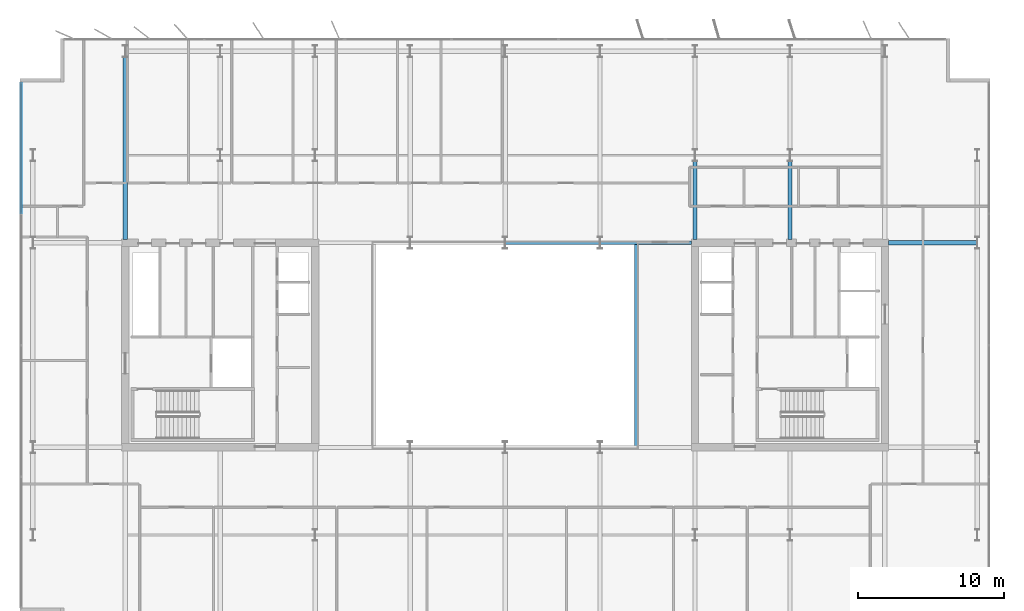
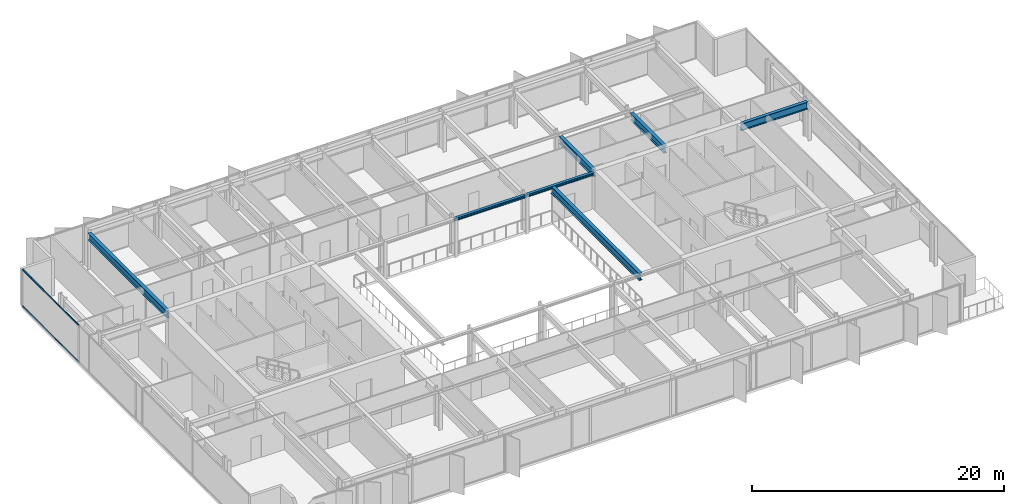
# One storey, part 9 of 24: 7 beams, 2 members, 1 element without a shape of its own.
"""IFC4 building model written with IfcOpenShell, lengths in metres."""

from ifc_helpers import new_model, si_unit, direction, frame, origin, origin_2d, place, context, subcontext, project, spatial, rectangle, i_section, extrude, material, layer, layer_set, material_profile, profile_set, type_object, element, aggregate, save


model = new_model("IFC4")

# Units and contexts
model_context = context("Model", 3, precision=1e-05, world=origin(), true_north=direction((0.0, 1.0)))
body_context = subcontext(model_context, "Body", "Model", "MODEL_VIEW")
ifc_project = project(units=[si_unit("LENGTHUNIT", "METRE"), si_unit("AREAUNIT", "SQUARE_METRE"), si_unit("VOLUMEUNIT", "CUBIC_METRE"), si_unit("PLANEANGLEUNIT", "RADIAN"), si_unit("MASSUNIT", "GRAM", prefix="KILO")], contexts=[model_context])

# Site, building, storey
site_placement = place(None, origin())
site = spatial("IfcSite", under=ifc_project, at=site_placement, CompositionType="ELEMENT")
building_placement = place(site_placement, origin())
building = spatial("IfcBuilding", under=site, at=building_placement, Name="Putna Gate Headquarters", CompositionType="ELEMENT")
storey_placement = place(building_placement, frame((0.0, 0.0, 248.0)))
storey = spatial("IfcBuildingStorey", under=building, at=storey_placement, Name="L62", CompositionType="ELEMENT", Elevation=248.0)

# Beams
ifc_material_1 = material(Name="Steel S355J2", Category="steel")
ifc_material_profile_1 = material_profile(ifc_material_1, i_section(OverallWidth=0.260009765625, OverallDepth=0.260009765625, WebThickness=0.010009765625, FlangeThickness=0.017578125, at=origin_2d()), Name="Steel S355J2")
ifc_profile_set_1 = profile_set([ifc_material_profile_1], Name="Steel S355J2")
beam_type_1 = type_object("IfcBeamType", Name="BM-ATRIUM-HEB260", PredefinedType="BEAM", material=ifc_profile_set_1)
beam_1_placement = place(storey_placement, frame((39.006103515625, 33.0, 3.449951171875), z_axis=(1.0, 0.0, 0.0), x_axis=(0.0, 1.0, 0.0)))
element("IfcBeam", 1, at=beam_1_placement, inside=storey, type_object=beam_type_1, Name="L62 Atrium Edge Beam AN3", PredefinedType="BEAM", context=body_context, shape_type="SweptSolid", body=[
    extrude(i_section(OverallWidth=0.260009765625, OverallDepth=0.260009765625, WebThickness=0.010009765625, FlangeThickness=0.017578125, at=origin_2d()), origin(), (0.0, 0.0, 1.0), 6.48779296875),
])
beam_2_placement = place(storey_placement, frame((45.506103515625, 33.0, 3.449951171875), z_axis=(1.0, 0.0, 0.0), x_axis=(0.0, 1.0, 0.0)))
element("IfcBeam", 2, at=beam_2_placement, inside=storey, type_object=beam_type_1, Name="L62 Atrium Edge Beam AN4", PredefinedType="BEAM", context=body_context, shape_type="SweptSolid", body=[
    extrude(i_section(OverallWidth=0.260009765625, OverallDepth=0.260009765625, WebThickness=0.010009765625, FlangeThickness=0.017578125, at=origin_2d()), origin(), (0.0, 0.0, 1.0), 6.2587890625),
])
ifc_material_profile_2 = material_profile(ifc_material_1, i_section(OverallWidth=0.300048828125, OverallDepth=0.699951171875, WebThickness=0.01708984375, FlangeThickness=0.031982421875, at=origin_2d()), Name="Steel S355J2")
ifc_profile_set_2 = profile_set([ifc_material_profile_2], Name="Steel S355J2")
beam_type_2 = type_object("IfcBeamType", Name="BM-GIRD-B-HEB700", PredefinedType="USERDEFINED", material=ifc_profile_set_2)
beam_3_placement = place(storey_placement, frame((65.235107421875, 33.0, 3.22998046875), z_axis=(1.0, 0.0, 0.0), x_axis=(0.0, 1.0, 0.0)))
element("IfcBeam", 3, at=beam_3_placement, inside=storey, type_object=beam_type_2, Name="L62 East Wing Girder Y33", ObjectType="GIRDER", PredefinedType="USERDEFINED", context=body_context, shape_type="SweptSolid", body=[
    extrude(i_section(OverallWidth=0.300048828125, OverallDepth=0.699951171875, WebThickness=0.01708984375, FlangeThickness=0.031982421875, at=origin_2d()), origin(), (0.0, 0.0, 1.0), 6.078857421875),
])
beam_4_placement = place(storey_placement, frame((13.0, 33.235107421875, 3.22998046875), z_axis=(0.0, 1.0, 0.0), x_axis=(-1.0, 0.0, 0.0)))
element("IfcBeam", 4, at=beam_4_placement, inside=storey, type_object=beam_type_2, Name="L62 North Primary Girder X13", ObjectType="GIRDER", PredefinedType="USERDEFINED", context=body_context, shape_type="SweptSolid", body=[
    extrude(i_section(OverallWidth=0.300048828125, OverallDepth=0.699951171875, WebThickness=0.01708984375, FlangeThickness=0.031982421875, at=origin_2d()), origin(), (0.0, 0.0, 1.0), 12.489990234375),
])
for number, where, z_axis, x_axis, name in (
    (5, (52.0, 33.235107421875, 3.22998046875), (0.0, 1.0, 0.0), (-1.0, 0.0, 0.0), "L62 North Primary Girder X52-1"),
    (6, (58.5, 33.235107421875, 3.22998046875), (0.0, 1.0, 0.0), (-1.0, 0.0, 0.0), "L62 North Primary Girder X58-1"),
):
    element("IfcBeam", number, at=place(storey_placement, frame(where, z_axis=z_axis, x_axis=x_axis)), inside=storey, type_object=beam_type_2, Name=name, ObjectType="GIRDER", PredefinedType="USERDEFINED", context=body_context, shape_type="SweptSolid", body=[
        extrude(i_section(OverallWidth=0.300048828125, OverallDepth=0.699951171875, WebThickness=0.01708984375, FlangeThickness=0.031982421875, at=origin_2d()), origin(), (0.0, 0.0, 1.0), 5.369873046875),
    ])
beam_5_placement = place(storey_placement, frame((48.0, 19.010009765625, 3.22998046875), z_axis=(0.0, 1.0, 0.0), x_axis=(-1.0, 0.0, 0.0)))
element("IfcBeam", 7, at=beam_5_placement, inside=storey, type_object=beam_type_2, Name="L62 Atrium Trim Girder AE", ObjectType="GIRDER", PredefinedType="USERDEFINED", context=body_context, shape_type="SweptSolid", body=[
    extrude(i_section(OverallWidth=0.300048828125, OverallDepth=0.699951171875, WebThickness=0.01708984375, FlangeThickness=0.031982421875, at=origin_2d()), origin(), (0.0, 0.0, 1.0), 13.97998046875),
])

# Curtain wall, members
ifc_material_2 = material(Name="Anodised bronze aluminium curtain wall", Category="aluminium")
ifc_layer = layer(ifc_material_2, 0.139892578125)
ifc_layer_set = layer_set([ifc_layer], Name="Anodised bronze aluminium curtain wall")
curtain_wall_type = type_object("IfcCurtainWallType", Name="CW-SYS-Z4", PredefinedType="USERDEFINED", material=ifc_layer_set)
curtain_wall_placement = place(storey_placement, origin())
curtain_wall = element("IfcCurtainWall", 8, at=curtain_wall_placement, inside=storey, type_object=curtain_wall_type, Name="L62 West Curtain Wall", ObjectType="STICK CURTAIN WALL", PredefinedType="USERDEFINED")
ifc_material_3 = material(Name="Anodised bronze aluminium EN AW-6060", Category="aluminium")
ifc_material_profile_3 = material_profile(ifc_material_3, rectangle(XDim=0.06005859375, YDim=0.10009765625, at=origin_2d()), Name="Anodised bronze aluminium EN AW-6060")
ifc_profile_set_3 = profile_set([ifc_material_profile_3], Name="Anodised bronze aluminium EN AW-6060")
member_type = type_object("IfcMemberType", Name="TRAN-CWT-4", PredefinedType="USERDEFINED", material=ifc_profile_set_3)
member_1_placement = place(storey_placement, frame((5.8798828125, 35.030029296875, 0.030029296875), z_axis=(0.0, 1.0, 0.0), x_axis=(-1.0, 0.0, 0.0)))
member_1 = element("IfcMember", 9, at=member_1_placement, type_object=member_type, Name="CWS-4 transom 4.1", ObjectType="TRANSOM", PredefinedType="USERDEFINED", context=body_context, shape_type="SweptSolid", body=[
    extrude(rectangle(XDim=0.06005859375, YDim=0.10009765625, at=origin_2d()), origin(), (0.0, 0.0, 1.0), 8.909912109375),
])
member_2_placement = place(storey_placement, frame((5.8798828125, 35.030029296875, 3.550048828125), z_axis=(0.0, 1.0, 0.0), x_axis=(-1.0, 0.0, 0.0)))
member_2 = element("IfcMember", 10, at=member_2_placement, type_object=member_type, Name="CWS-4 transom 4.2", ObjectType="TRANSOM", PredefinedType="USERDEFINED", context=body_context, shape_type="SweptSolid", body=[
    extrude(rectangle(XDim=0.06005859375, YDim=0.10009765625, at=origin_2d()), origin(), (0.0, 0.0, 1.0), 8.909912109375),
])
aggregate(curtain_wall, [member_1, member_2])

save(model, "model.ifc")
